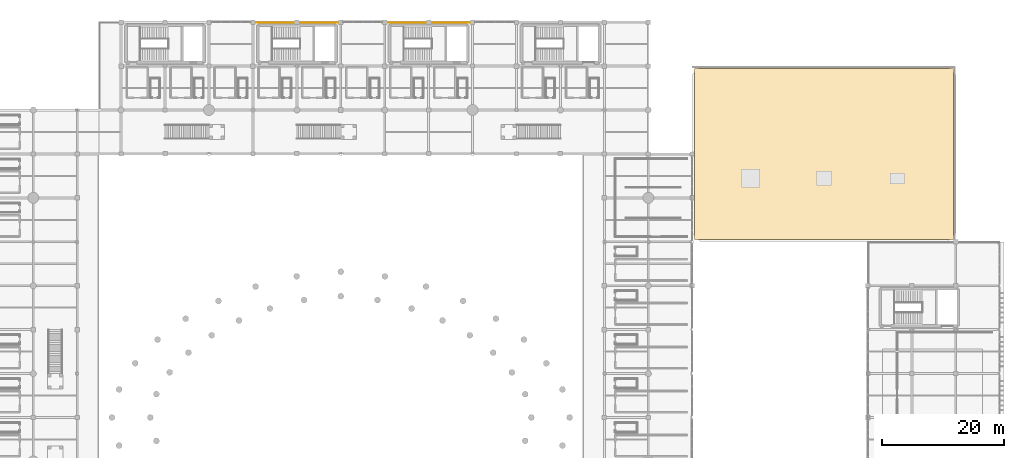
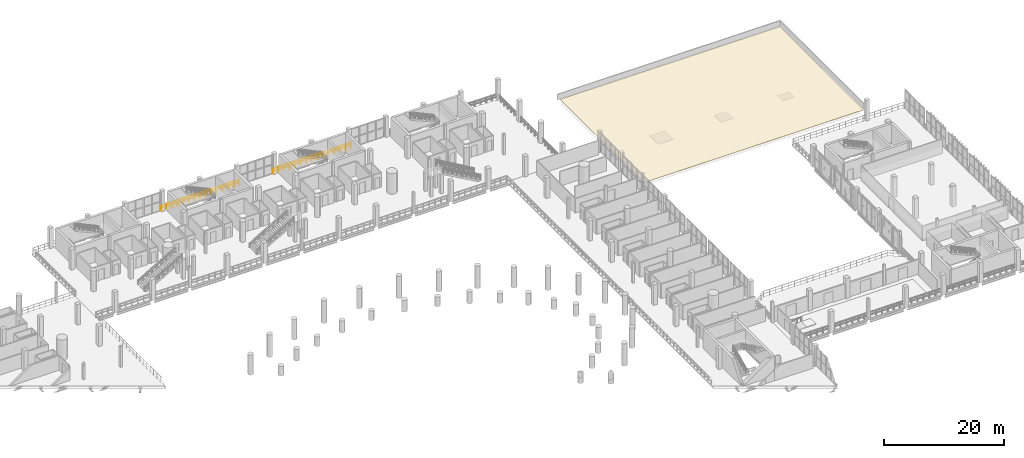
# One storey, part 130 of 130: 2 railings, 1 covering.
"""IFC4 building model written with IfcOpenShell, lengths in metres."""

import ifcopenshell
import ifcopenshell.guid

model = None  # the IFC model being written
_history = None  # IfcOwnerHistory: only IFC2X3 demands one
_inside = {}  # id of a spatial element -> (the spatial element, [elements in it])
_under = {}  # id of a project, library or spatial element -> (it, [spatial elements below it])
_declared = {}  # id of a project -> (the project, [libraries it declares])
_typed = {}  # id of a type object -> (the type object, [elements of that type])
_made_of = {}  # id of a material, layer set ... -> (it, [elements and type objects made of it])


def new_model(schema):
    """Start an empty IFC model of exactly this schema.

    Asked for "IFC4X3", IfcOpenShell would pick the latest addendum, in which some entities
    have other attributes; the version numbers below select the first issue.
    IFC2X3 requires an IfcOwnerHistory on every rooted entity: one is made here for all.
    """
    global model, _history
    if schema == "IFC4X3":
        model = ifcopenshell.file(schema_version=(4, 3, 0, 0))
    else:
        model = ifcopenshell.file(schema=schema)
    _inside.clear()
    _under.clear()
    _declared.clear()
    _typed.clear()
    _made_of.clear()
    _history = None
    if model.schema == "IFC2X3":
        org = make("IfcOrganization", Name="unknown")
        user = make(
            "IfcPersonAndOrganization",
            ThePerson=make("IfcPerson", FamilyName="unknown"),
            TheOrganization=org,
        )
        app = make(
            "IfcApplication",
            ApplicationDeveloper=org,
            Version="unknown",
            ApplicationFullName="unknown",
            ApplicationIdentifier="unknown",
        )
        _history = make(
            "IfcOwnerHistory",
            OwningUser=user,
            OwningApplication=app,
            ChangeAction="ADDED",
            CreationDate=0,
        )
    return model


def make(cls, **values):
    """One entity of the class cls with the attributes given. An attribute that is None is left unset."""
    return model.create_entity(
        cls, **{name: value for name, value in values.items() if value is not None}
    )


def rooted(cls, **values):
    """An entity with a GlobalId (a new one), such as an element, a storey or a relation."""
    return make(cls, GlobalId=ifcopenshell.guid.new(), OwnerHistory=_history, **values)


def si_unit(unit_type, name, prefix=None):
    """IfcSIUnit, for example si_unit("LENGTHUNIT", "METRE", prefix="MILLI")."""
    return make("IfcSIUnit", UnitType=unit_type, Prefix=prefix, Name=name)


def assignment(units):
    """IfcUnitAssignment: the units of a project."""
    return None if units is None else make("IfcUnitAssignment", Units=units)


def point(xyz):
    """IfcCartesianPoint."""
    return None if xyz is None else make("IfcCartesianPoint", Coordinates=xyz)


def direction(xyz):
    """IfcDirection."""
    return None if xyz is None else make("IfcDirection", DirectionRatios=xyz)


def frame(location, z_axis=None, x_axis=None):
    """IfcAxis2Placement3D, a coordinate frame: its origin and axes. An axis left out is left unset."""
    return make(
        "IfcAxis2Placement3D",
        Location=point(location),
        Axis=direction(z_axis),
        RefDirection=direction(x_axis),
    )


def frame_2d(location, x_axis=None):
    """IfcAxis2Placement2D, a coordinate frame in the plane: its origin and x axis."""
    return make(
        "IfcAxis2Placement2D", Location=point(location), RefDirection=direction(x_axis)
    )


def origin():
    """The frame at (0, 0, 0) with its axes left unset."""
    return frame((0.0, 0.0, 0.0))


def origin_2d():
    """The frame at (0, 0) in the plane with its x axis left unset."""
    return frame_2d((0.0, 0.0))


def place(relative_to, where):
    """IfcLocalPlacement: puts the frame where relative to a parent placement (None: the world)."""
    return make(
        "IfcLocalPlacement", PlacementRelTo=relative_to, RelativePlacement=where
    )


def context(
    kind, dimensions, precision=None, world=None, true_north=None, identifier=None
):
    """IfcGeometricRepresentationContext, for example the 3D "Model" context."""
    return make(
        "IfcGeometricRepresentationContext",
        ContextIdentifier=identifier,
        ContextType=kind,
        CoordinateSpaceDimension=dimensions,
        Precision=precision,
        WorldCoordinateSystem=world,
        TrueNorth=true_north,
    )


def subcontext(parent, identifier, kind, view, scale=None):
    """IfcGeometricRepresentationSubContext, for example "Body" below "Model"."""
    return make(
        "IfcGeometricRepresentationSubContext",
        ContextIdentifier=identifier,
        ContextType=kind,
        ParentContext=parent,
        TargetScale=scale,
        TargetView=view,
    )


def project(units=None, contexts=None):
    """IfcProject with its units and contexts."""
    return rooted(
        "IfcProject",
        Name="project",
        RepresentationContexts=contexts,
        UnitsInContext=assignment(units),
    )


def spatial(cls, under=None, at=None, **own):
    """A site, building, storey or space (cls), placed at a placement, below another one or the project."""
    s = rooted(cls, ObjectPlacement=at, **own)
    if under is not None:
        _under.setdefault(under.id(), (under, []))[1].append(s)
    return s


def polyline(points):
    """IfcPolyline through the points."""
    return make("IfcPolyline", Points=[point(p) for p in points])


def profile(cls, at=None, kind="AREA", **sizes):
    """A parametric profile (cls). Its sizes go by their IFC names, for example OverallWidth=200.0."""
    return make(cls, ProfileType=kind, Position=at, **sizes)


def circle(**sizes):
    """IfcCircleProfileDef."""
    return profile("IfcCircleProfileDef", **sizes)


def outline(outer, holes=None, kind="AREA"):
    """IfcArbitraryClosedProfileDef: a profile drawn as a closed curve; with holes, ...WithVoids."""
    if holes is None:
        return make("IfcArbitraryClosedProfileDef", ProfileType=kind, OuterCurve=outer)
    return make(
        "IfcArbitraryProfileDefWithVoids",
        ProfileType=kind,
        OuterCurve=outer,
        InnerCurves=holes,
    )


def extrude(swept, where, along, depth):
    """IfcExtrudedAreaSolid: the profile swept, set in the frame where, extruded along a direction by depth."""
    return make(
        "IfcExtrudedAreaSolid",
        SweptArea=swept,
        Position=where,
        ExtrudedDirection=direction(along),
        Depth=depth,
    )


def shape(context_of_items, identifier, shape_type, items):
    """IfcShapeRepresentation: the items that make up one representation, for example the "Body"."""
    return make(
        "IfcShapeRepresentation",
        ContextOfItems=context_of_items,
        RepresentationIdentifier=identifier,
        RepresentationType=shape_type,
        Items=items,
    )


def material(Name=None, Category=None):
    """IfcMaterial."""
    return make("IfcMaterial", Name=Name, Category=Category)


def layer(
    of_material, thickness, ventilated=None, Name=None, Category=None, Priority=None
):
    """IfcMaterialLayer: one layer of a wall or slab, of a material (None: an air gap)."""
    return make(
        "IfcMaterialLayer",
        Material=of_material,
        LayerThickness=thickness,
        IsVentilated=ventilated,
        Name=Name,
        Category=Category,
        Priority=Priority,
    )


def layer_set(layers, Name=None):
    """IfcMaterialLayerSet."""
    return make("IfcMaterialLayerSet", MaterialLayers=layers, LayerSetName=Name)


def made_of(thing, what):
    """Note that an element or type object is made of a material, layer set ...; save() writes the relation."""
    if what is not None:
        _made_of.setdefault(what.id(), (what, []))[1].append(thing)
    return thing


def type_object(cls, material=None, **own):
    """A type object (cls), such as IfcWallType, which elements share."""
    return made_of(rooted(cls, **own), material)


def element(
    cls,
    number,
    at=None,
    inside=None,
    cuts=None,
    type_object=None,
    material=None,
    context=None,
    identifier="Body",
    shape_type=None,
    held_by="IfcProductDefinitionShape",
    body=None,
    shapes=None,
    **own,
):
    """One element of the class cls, such as IfcWall. Its Tag is "e" and its number.

    at: its placement. inside: the storey or other place that contains it. cuts: it is an
    opening in that element (IfcRelVoidsElement). A single representation is given by context,
    identifier, shape_type and body (its items); several are given by shapes. held_by: the class
    of the entity that holds the representations. save() writes the other relations.
    """
    e = rooted(cls, Tag="e%d" % number, ObjectPlacement=at, **own)
    if body is not None:
        shapes = [shape(context, identifier, shape_type, body)]
    if shapes is not None:
        e.Representation = make(held_by, Representations=shapes)
    if inside is not None:
        _inside.setdefault(inside.id(), (inside, []))[1].append(e)
    if cuts is not None:
        rooted(
            "IfcRelVoidsElement", RelatingBuildingElement=cuts, RelatedOpeningElement=e
        )
    if type_object is not None:
        _typed.setdefault(type_object.id(), (type_object, []))[1].append(e)
    return made_of(e, material)


def aggregate(whole, parts):
    """IfcRelAggregates: a whole, such as a stair, and the parts it consists of."""
    return rooted("IfcRelAggregates", RelatingObject=whole, RelatedObjects=parts)


def save(model, path):
    """Write the relations noted so far, then the file.

    IfcRelAggregates (storeys below a building ...), IfcRelContainedInSpatialStructure (elements
    in a storey), IfcRelDefinesByType, IfcRelAssociatesMaterial and IfcRelDeclares: one each for
    every whole, place, type object, material and project.
    """
    for whole, parts in _under.values():
        aggregate(whole, parts)
    for where, things in _inside.values():
        rooted(
            "IfcRelContainedInSpatialStructure",
            RelatedElements=things,
            RelatingStructure=where,
        )
    for kind, things in _typed.values():
        rooted("IfcRelDefinesByType", RelatedObjects=things, RelatingType=kind)
    for what, things in _made_of.values():
        rooted("IfcRelAssociatesMaterial", RelatedObjects=things, RelatingMaterial=what)
    for by, libraries in _declared.values():
        rooted("IfcRelDeclares", RelatingContext=by, RelatedDefinitions=libraries)
    model.write(path)


model = new_model("IFC4")

# Units and contexts
model_context = context("Model", 3, precision=1e-05, world=origin(), true_north=direction((0.0, 1.0)))
body_context = subcontext(model_context, "Body", "Model", "MODEL_VIEW")
ifc_project = project(units=[si_unit("LENGTHUNIT", "METRE"), si_unit("AREAUNIT", "SQUARE_METRE"), si_unit("VOLUMEUNIT", "CUBIC_METRE"), si_unit("PLANEANGLEUNIT", "RADIAN"), si_unit("MASSUNIT", "GRAM", prefix="KILO")], contexts=[model_context])

# Site, building, storey
site_placement = place(None, origin())
site = spatial("IfcSite", under=ifc_project, at=site_placement, CompositionType="ELEMENT")
building_placement = place(site_placement, origin())
building = spatial("IfcBuilding", under=site, at=building_placement, Name="Qandorah Velis Arena", CompositionType="ELEMENT")
storey_placement = place(building_placement, frame((0.0, 0.0, 9.60009765625)))
storey = spatial("IfcBuildingStorey", under=building, at=storey_placement, Name="L02", CompositionType="ELEMENT", Elevation=9.60009765625)

# Covering
ifc_material_1 = material(Name="Insulated high-albedo standing-seam aluminium roofing", Category="aluminium")
ifc_layer = layer(ifc_material_1, 0.080078125)
ifc_layer_set = layer_set([ifc_layer], Name="Insulated high-albedo standing-seam aluminium roofing")
covering_type = type_object("IfcCoveringType", Name="ARC-COV-ROOF", PredefinedType="ROOFING", material=ifc_layer_set)
covering_placement = place(storey_placement, frame((0.0, 0.0, 1.7998046875)))
element("IfcCovering", 1, at=covering_placement, inside=storey, type_object=covering_type, Name="Standing-seam insulated roof covering COV-RF-PRACTICE", PredefinedType="ROOFING", context=body_context, shape_type="SweptSolid", body=[
    extrude(outline(polyline([(122.800048828125, 94.0), (165.199951171875, 94.0), (165.199951171875, 122.0), (122.800048828125, 122.0), (122.800048828125, 94.0)])), origin(), (0.0, 0.0, 1.0), 0.080078125),
])

# Railings
ifc_material_2 = material(Name="Stainless steel 316", Category="steel")
railing_type = type_object("IfcRailingType", Name="ARC-RL-GRD1150", PredefinedType="GUARDRAIL", material=ifc_material_2)
railing_1_placement = place(storey_placement, frame((50.02490234375, 129.5, 0.0)))
element("IfcRailing", 2, at=railing_1_placement, inside=storey, type_object=railing_type, Name="Slab edge safety guardrail L02-143", PredefinedType="GUARDRAIL", context=body_context, shape_type="SweptSolid", body=[
    extrude(circle(Radius=0.02392578125, at=origin_2d()), frame((0.0, 0.0, 1.1259765625), z_axis=(1.0, 0.0, 0.0), x_axis=(0.0, 1.0, 0.0)), (0.0, 0.0, 1.0), 15.150146484375),
    extrude(circle(Radius=0.02392578125, at=origin_2d()), frame((0.0, 0.0, 0.597900390625), z_axis=(1.0, 0.0, 0.0), x_axis=(0.0, 1.0, 0.0)), (0.0, 0.0, 1.0), 15.150146484375),
    extrude(circle(Radius=0.02099609375, at=origin_2d()), origin(), (0.0, 0.0, 1.0), 1.101806640625),
    extrude(circle(Radius=0.02099609375, at=origin_2d()), frame((1.08203125, 0.0, 0.0)), (0.0, 0.0, 1.0), 1.101806640625),
    extrude(circle(Radius=0.02099609375, at=origin_2d()), frame((2.164306640625, 0.0, 0.0)), (0.0, 0.0, 1.0), 1.101806640625),
    extrude(circle(Radius=0.02099609375, at=origin_2d()), frame((3.24658203125, 0.0, 0.0)), (0.0, 0.0, 1.0), 1.101806640625),
    extrude(circle(Radius=0.02099609375, at=origin_2d()), frame((4.32861328125, 0.0, 0.0)), (0.0, 0.0, 1.0), 1.101806640625),
    extrude(circle(Radius=0.02099609375, at=origin_2d()), frame((5.41064453125, 0.0, 0.0)), (0.0, 0.0, 1.0), 1.101806640625),
    extrude(circle(Radius=0.02099609375, at=origin_2d()), frame((6.492919921875, 0.0, 0.0)), (0.0, 0.0, 1.0), 1.101806640625),
    extrude(circle(Radius=0.02099609375, at=origin_2d()), frame((7.5751953125, 0.0, 0.0)), (0.0, 0.0, 1.0), 1.101806640625),
    extrude(circle(Radius=0.02099609375, at=origin_2d()), frame((8.6572265625, 0.0, 0.0)), (0.0, 0.0, 1.0), 1.101806640625),
    extrude(circle(Radius=0.02099609375, at=origin_2d()), frame((9.7392578125, 0.0, 0.0)), (0.0, 0.0, 1.0), 1.101806640625),
    extrude(circle(Radius=0.02099609375, at=origin_2d()), frame((10.821533203125, 0.0, 0.0)), (0.0, 0.0, 1.0), 1.101806640625),
    extrude(circle(Radius=0.02099609375, at=origin_2d()), frame((11.90380859375, 0.0, 0.0)), (0.0, 0.0, 1.0), 1.101806640625),
    extrude(circle(Radius=0.02099609375, at=origin_2d()), frame((12.98583984375, 0.0, 0.0)), (0.0, 0.0, 1.0), 1.101806640625),
    extrude(circle(Radius=0.02099609375, at=origin_2d()), frame((14.06787109375, 0.0, 0.0)), (0.0, 0.0, 1.0), 1.101806640625),
    extrude(circle(Radius=0.02099609375, at=origin_2d()), frame((15.150146484375, 0.0, 0.0)), (0.0, 0.0, 1.0), 1.101806640625),
])
railing_2_placement = place(storey_placement, frame((71.625, 129.5, 0.0)))
element("IfcRailing", 3, at=railing_2_placement, inside=storey, type_object=railing_type, Name="Slab edge safety guardrail L02-144", PredefinedType="GUARDRAIL", context=body_context, shape_type="SweptSolid", body=[
    extrude(circle(Radius=0.02392578125, at=origin_2d()), frame((0.0, 0.0, 1.1259765625), z_axis=(1.0, 0.0, 0.0), x_axis=(0.0, 1.0, 0.0)), (0.0, 0.0, 1.0), 15.14990234375),
    extrude(circle(Radius=0.02392578125, at=origin_2d()), frame((0.0, 0.0, 0.597900390625), z_axis=(1.0, 0.0, 0.0), x_axis=(0.0, 1.0, 0.0)), (0.0, 0.0, 1.0), 15.14990234375),
    extrude(circle(Radius=0.02099609375, at=origin_2d()), origin(), (0.0, 0.0, 1.0), 1.101806640625),
    extrude(circle(Radius=0.02099609375, at=origin_2d()), frame((1.08203125, 0.0, 0.0)), (0.0, 0.0, 1.0), 1.101806640625),
    extrude(circle(Radius=0.02099609375, at=origin_2d()), frame((2.164306640625, 0.0, 0.0)), (0.0, 0.0, 1.0), 1.101806640625),
    extrude(circle(Radius=0.02099609375, at=origin_2d()), frame((3.246337890625, 0.0, 0.0)), (0.0, 0.0, 1.0), 1.101806640625),
    extrude(circle(Radius=0.02099609375, at=origin_2d()), frame((4.32861328125, 0.0, 0.0)), (0.0, 0.0, 1.0), 1.101806640625),
    extrude(circle(Radius=0.02099609375, at=origin_2d()), frame((5.41064453125, 0.0, 0.0)), (0.0, 0.0, 1.0), 1.101806640625),
    extrude(circle(Radius=0.02099609375, at=origin_2d()), frame((6.492919921875, 0.0, 0.0)), (0.0, 0.0, 1.0), 1.101806640625),
    extrude(circle(Radius=0.02099609375, at=origin_2d()), frame((7.574951171875, 0.0, 0.0)), (0.0, 0.0, 1.0), 1.101806640625),
    extrude(circle(Radius=0.02099609375, at=origin_2d()), frame((8.656982421875, 0.0, 0.0)), (0.0, 0.0, 1.0), 1.101806640625),
    extrude(circle(Radius=0.02099609375, at=origin_2d()), frame((9.7392578125, 0.0, 0.0)), (0.0, 0.0, 1.0), 1.101806640625),
    extrude(circle(Radius=0.02099609375, at=origin_2d()), frame((10.8212890625, 0.0, 0.0)), (0.0, 0.0, 1.0), 1.101806640625),
    extrude(circle(Radius=0.02099609375, at=origin_2d()), frame((11.903564453125, 0.0, 0.0)), (0.0, 0.0, 1.0), 1.101806640625),
    extrude(circle(Radius=0.02099609375, at=origin_2d()), frame((12.985595703125, 0.0, 0.0)), (0.0, 0.0, 1.0), 1.101806640625),
    extrude(circle(Radius=0.02099609375, at=origin_2d()), frame((14.06787109375, 0.0, 0.0)), (0.0, 0.0, 1.0), 1.101806640625),
    extrude(circle(Radius=0.02099609375, at=origin_2d()), frame((15.14990234375, 0.0, 0.0)), (0.0, 0.0, 1.0), 1.101806640625),
])

save(model, "model.ifc")
